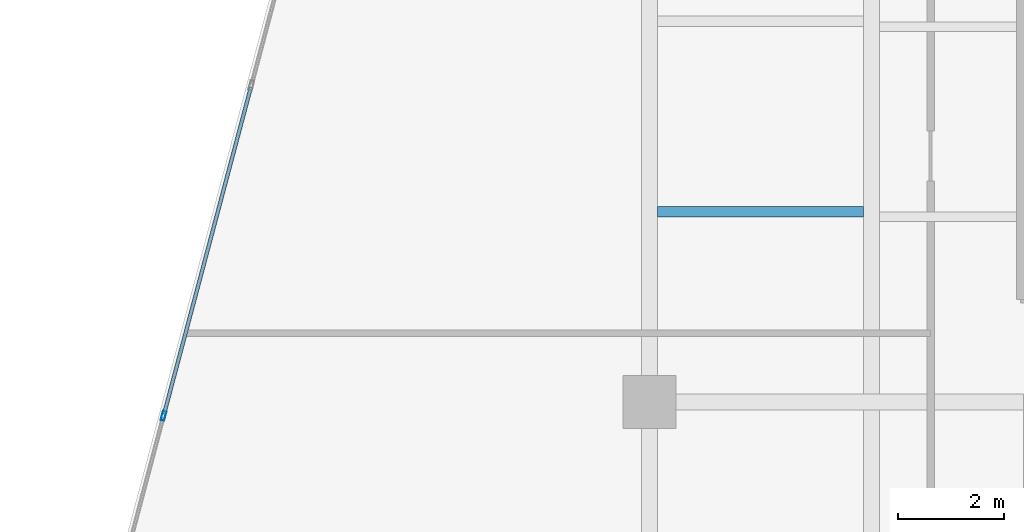
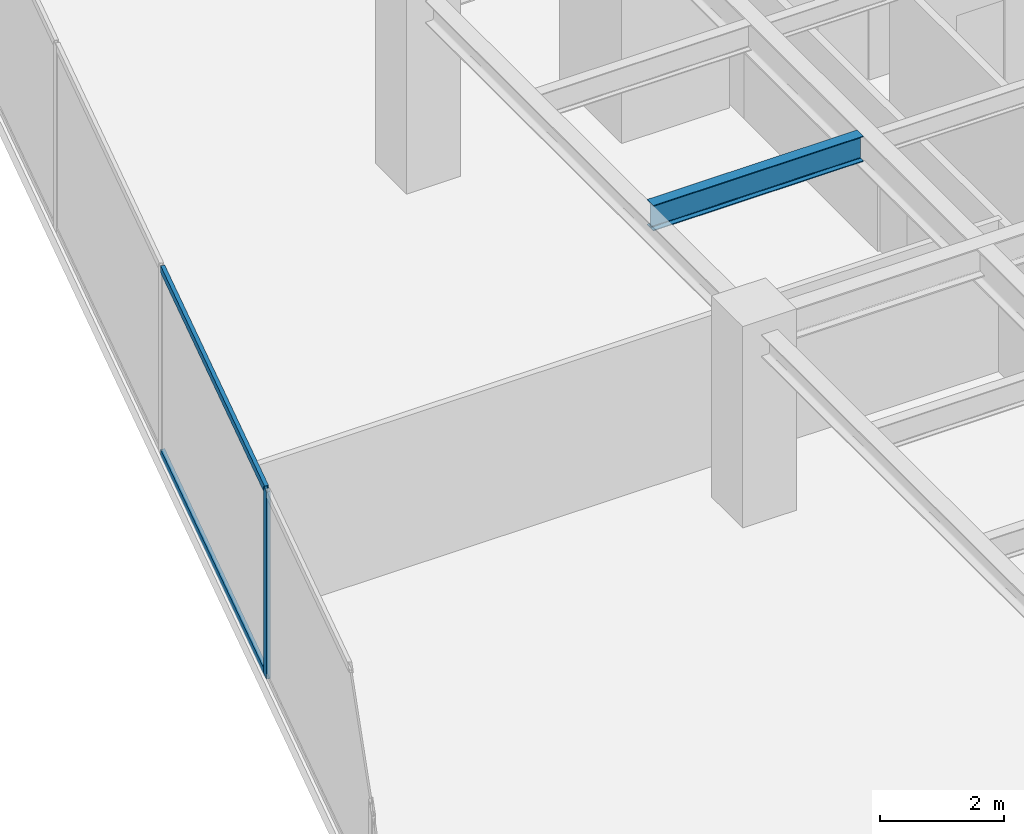
# One storey, part 8 of 27: 3 members, 1 beam, 1 element without a shape of its own.
"""IFC4 building model written with IfcOpenShell, lengths in metres."""

from ifc_helpers import new_model, si_unit, direction, frame, origin, origin_2d, place, context, subcontext, project, spatial, hollow_rectangle, i_section, extrude, source, transform, mapped, material, material_profile, profile_set, type_object, type_shapes, element, aggregate, save


model = new_model("IFC4")

# Units and contexts
model_context = context("Model", 3, precision=1e-05, world=origin(), true_north=direction((0.0, 1.0)))
body_context = subcontext(model_context, "Body", "Model", "MODEL_VIEW")
ifc_project = project(units=[si_unit("LENGTHUNIT", "METRE"), si_unit("AREAUNIT", "SQUARE_METRE"), si_unit("VOLUMEUNIT", "CUBIC_METRE"), si_unit("PLANEANGLEUNIT", "RADIAN"), si_unit("MASSUNIT", "GRAM", prefix="KILO")], contexts=[model_context])

# Site, building, storey
site_placement = place(None, origin())
site = spatial("IfcSite", under=ifc_project, at=site_placement, CompositionType="ELEMENT")
building_placement = place(site_placement, origin())
building = spatial("IfcBuilding", under=site, at=building_placement, Name="Krantzveldt Concourse Tower", CompositionType="ELEMENT")
storey_placement = place(building_placement, frame((0.0, 0.0, 101.89990234375)))
storey = spatial("IfcBuildingStorey", under=building, at=storey_placement, Name="L24", CompositionType="ELEMENT", Elevation=101.89990234375)

# Beam
ifc_material_1 = material(Name="Steel S355JR", Category="steel")
ifc_material_profile_1 = material_profile(ifc_material_1, i_section(OverallWidth=0.199951171875, OverallDepth=0.5, WebThickness=0.01025390625, FlangeThickness=0.01611328125, FilletRadius=0.02099609375, at=origin_2d()), Name="Steel S355JR", Category="steel")
ifc_profile_set_1 = profile_set([ifc_material_profile_1], Name="Steel S355JR - IPE 500")
beam_type = type_object("IfcBeamType", Name="BM-J-IPE500", PredefinedType="JOIST", material=ifc_profile_set_1)
shared_shape_1 = source(origin(), body_context, "Body", "SweptSolid", [
    extrude(i_section(OverallWidth=0.199951171875, OverallDepth=0.5, WebThickness=0.01025390625, FlangeThickness=0.01611328125, FilletRadius=0.02099609375, at=origin_2d()), origin(), (0.0, 0.0, 1.0), 3.900146484375),
])
type_shapes(beam_type, [shared_shape_1])
beam_placement = place(storey_placement, frame((21.14990234375, 30.300048828125, 3.420166015625), z_axis=(1.0, 0.0, 0.0), x_axis=(0.0, 1.0, 0.0)))
element("IfcBeam", 1, at=beam_placement, inside=storey, type_object=beam_type, Name="L24 Secondary Floor Joist JW-3", PredefinedType="JOIST", context=body_context, shape_type="MappedRepresentation", body=[
    mapped(shared_shape_1, transform((0.0, 0.0, 0.0), x_axis=(1.0, 0.0, 0.0), y_axis=(0.0, 1.0, 0.0), z_axis=(0.0, 0.0, 1.0), scale=1.0)),
])

# Curtain wall, members
ifc_material_2 = material(Name="Anodised aluminium 6063-T6", Category="aluminium")
curtain_wall_type = type_object("IfcCurtainWallType", Name="CW2", PredefinedType="USERDEFINED", material=ifc_material_2)
curtain_wall_placement = place(storey_placement, origin())
curtain_wall = element("IfcCurtainWall", 2, at=curtain_wall_placement, inside=storey, type_object=curtain_wall_type, Name="CW-L24-F01", ObjectType="UNITISED CURTAIN WALL", PredefinedType="USERDEFINED")
ifc_material_profile_2 = material_profile(ifc_material_2, hollow_rectangle(XDim=0.070068359375, YDim=0.179931640625, WallThickness=0.0048828125, at=origin_2d()), Name="Anodised aluminium 6063-T6", Category="aluminium")
ifc_profile_set_2 = profile_set([ifc_material_profile_2], Name="Anodised aluminium 6063-T6 - ALU-MULL 180x70x5")
member_type_1 = type_object("IfcMemberType", Name="CW-MUL-180", PredefinedType="MULLION", material=ifc_profile_set_2)
shared_shape_2 = source(origin(), body_context, "Body", "SweptSolid", [
    extrude(hollow_rectangle(XDim=0.070068359375, YDim=0.179931640625, WallThickness=0.0048828125, at=origin_2d()), origin(), (0.0, 0.0, 1.0), 3.670166015625),
])
type_shapes(member_type_1, [shared_shape_2])
member_1_placement = place(storey_placement, frame((11.81103515625, 26.43408203125, 0.0), z_axis=(0.0, 0.0, 1.0), x_axis=(0.966488186373, -0.256711093648, 0.0)))
member_1 = element("IfcMember", 3, at=member_1_placement, type_object=member_type_1, Name="CW-Z12 mullion 5", PredefinedType="MULLION", context=body_context, shape_type="MappedRepresentation", body=[
    mapped(shared_shape_2, transform((0.0, 0.0, 0.0), x_axis=(1.0, 0.0, 0.0), y_axis=(0.0, 1.0, 0.0), z_axis=(0.0, 0.0, 1.0), scale=1.0)),
])
ifc_material_profile_3 = material_profile(ifc_material_2, hollow_rectangle(XDim=0.070068359375, YDim=0.139892578125, WallThickness=0.0048828125, at=origin_2d()), Name="Anodised aluminium 6063-T6", Category="aluminium")
ifc_profile_set_3 = profile_set([ifc_material_profile_3], Name="Anodised aluminium 6063-T6 - ALU-TRAN 140x70x5")
member_type_2 = type_object("IfcMemberType", Name="CW-TRN-150", PredefinedType="USERDEFINED", material=ifc_profile_set_3)
shared_shape_3 = source(origin(), body_context, "Body", "SweptSolid", [
    extrude(hollow_rectangle(XDim=0.070068359375, YDim=0.139892578125, WallThickness=0.0048828125, at=origin_2d()), origin(), (0.0, 0.0, 1.0), 6.396728515625),
])
type_shapes(member_type_2, [shared_shape_3])
member_2_placement = place(storey_placement, frame((13.462158203125, 32.650146484375, 0.03515625), z_axis=(-0.256707571528, -0.966489121884, 0.0), x_axis=(0.966489121884, -0.256707571528, 0.0)))
member_2 = element("IfcMember", 4, at=member_2_placement, type_object=member_type_2, Name="CW-Z12 transom 4.1", ObjectType="TRANSOM", PredefinedType="USERDEFINED", context=body_context, shape_type="MappedRepresentation", body=[
    mapped(shared_shape_3, transform((0.0, 0.0, 0.0), x_axis=(1.0, 0.0, 0.0), y_axis=(0.0, 1.0, 0.0), z_axis=(0.0, 0.0, 1.0), scale=1.0)),
])
member_3_placement = place(storey_placement, frame((13.462158203125, 32.650146484375, 3.635009765625), z_axis=(-0.256707571528, -0.966489121884, 0.0), x_axis=(0.966489121884, -0.256707571528, 0.0)))
member_3 = element("IfcMember", 5, at=member_3_placement, type_object=member_type_2, Name="CW-Z12 transom 4.2", ObjectType="TRANSOM", PredefinedType="USERDEFINED", context=body_context, shape_type="MappedRepresentation", body=[
    mapped(shared_shape_3, transform((0.0, 0.0, 0.0), x_axis=(1.0, 0.0, 0.0), y_axis=(0.0, 1.0, 0.0), z_axis=(0.0, 0.0, 1.0), scale=1.0)),
])
aggregate(curtain_wall, [member_1, member_2, member_3])

save(model, "model.ifc")
